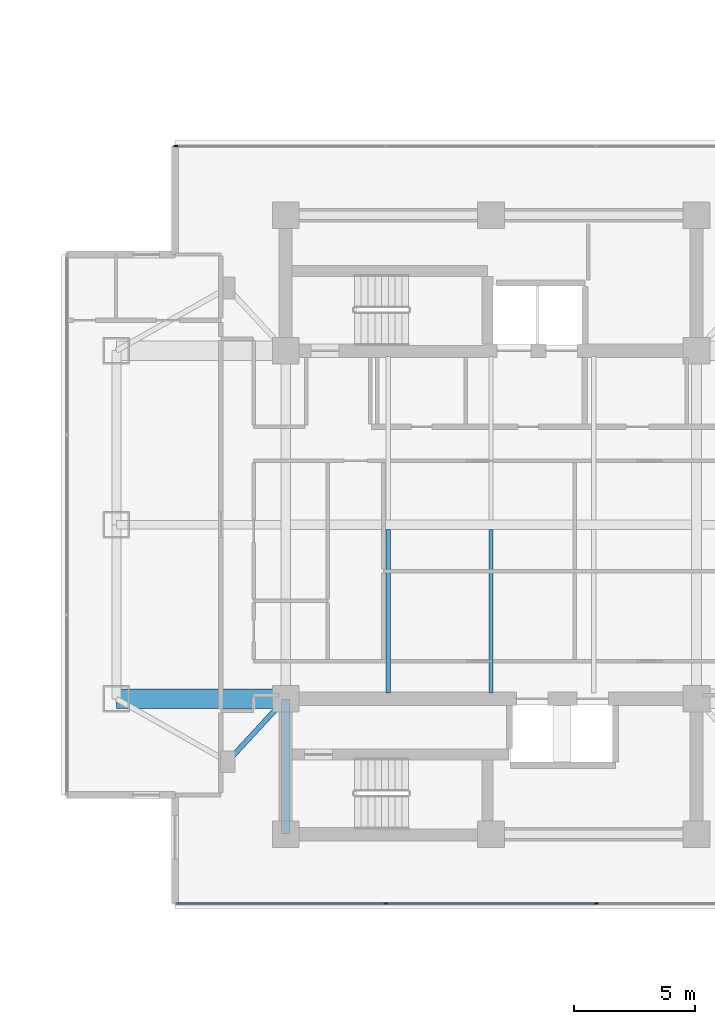
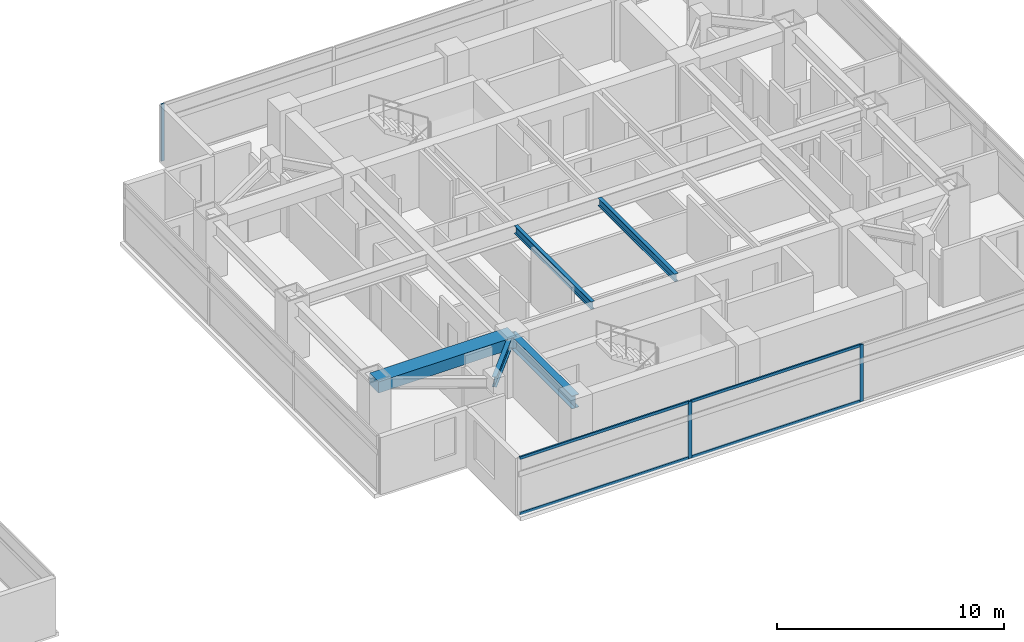
# One storey, part 9 of 26: 7 members, 5 beams, 2 elements without a shape of their own.
"""IFC4 building model written with IfcOpenShell, lengths in metres."""

from ifc_helpers import new_model, si_unit, direction, frame, origin, origin_2d, place, context, subcontext, project, spatial, rectangle, i_section, extrude, material, material_profile, profile_set, type_object, element, aggregate, save


model = new_model("IFC4")

# Units and contexts
model_context = context("Model", 3, precision=1e-05, world=origin(), true_north=direction((0.0, 1.0)))
body_context = subcontext(model_context, "Body", "Model", "MODEL_VIEW")
ifc_project = project(units=[si_unit("LENGTHUNIT", "METRE"), si_unit("AREAUNIT", "SQUARE_METRE"), si_unit("VOLUMEUNIT", "CUBIC_METRE"), si_unit("PLANEANGLEUNIT", "RADIAN"), si_unit("MASSUNIT", "GRAM", prefix="KILO")], contexts=[model_context])

# Site, building, storey
site_placement = place(None, origin())
site = spatial("IfcSite", under=ifc_project, at=site_placement, CompositionType="ELEMENT")
building_placement = place(site_placement, origin())
building = spatial("IfcBuilding", under=site, at=building_placement, Name="Mirazonda Arch Towers", CompositionType="ELEMENT")
storey_placement = place(building_placement, frame((0.0, 0.0, 128.0)))
storey = spatial("IfcBuildingStorey", under=building, at=storey_placement, Name="L36", CompositionType="ELEMENT", Elevation=128.0)

# Beams
ifc_material_1 = material(Name="Steel ASTM A992 Grade 50", Category="steel")
ifc_material_profile_1 = material_profile(ifc_material_1, i_section(OverallWidth=0.180908203125, OverallDepth=0.4169921875, WebThickness=0.010986328125, FlangeThickness=0.018310546875, at=origin_2d()), Name="W16X57")
ifc_profile_set_1 = profile_set([ifc_material_profile_1], Name="Steel ASTM A992 Grade 50")
beam_type_1 = type_object("IfcBeamType", Name="BM-INT-W16X57", PredefinedType="JOIST", material=ifc_profile_set_1)
for number, where, z_axis, x_axis, name in (
    (1, (72.25, 21.0400390625, 2.87158203125), (0.0, 1.0, 0.0), (-1.0, 0.0, 0.0), "L36 Floor Beam BM-T2-L36-J-722-20"),
    (2, (76.5, 21.0400390625, 2.87158203125), (0.0, 1.0, 0.0), (-1.0, 0.0, 0.0), "L36 Floor Beam BM-T2-L36-J-765-20"),
):
    element("IfcBeam", number, at=place(storey_placement, frame(where, z_axis=z_axis, x_axis=x_axis)), inside=storey, type_object=beam_type_1, Name=name, PredefinedType="JOIST", context=body_context, shape_type="SweptSolid", body=[
        extrude(i_section(OverallWidth=0.180908203125, OverallDepth=0.4169921875, WebThickness=0.010986328125, FlangeThickness=0.018310546875, at=origin_2d()), origin(), (0.0, 0.0, 1.0), 6.763916015625),
    ])
ifc_material_profile_2 = material_profile(ifc_material_1, i_section(OverallWidth=0.214111328125, OverallDepth=0.549072265625, WebThickness=0.0146484375, FlangeThickness=0.023681640625, at=origin_2d()), Name="W21X93")
ifc_profile_set_2 = profile_set([ifc_material_profile_2], Name="Steel ASTM A992 Grade 50")
beam_type_2 = type_object("IfcBeamType", Name="BM-INT-W21X93", PredefinedType="BEAM", material=ifc_profile_set_2)
beam_1_placement = place(storey_placement, frame((65.60009765625, 18.199951171875, 2.805419921875), z_axis=(0.678251444854, 0.734829897019, 0.0), x_axis=(-0.734829897019, 0.678251444854, 0.0)))
element("IfcBeam", 3, at=beam_1_placement, inside=storey, type_object=beam_type_2, Name="L36 Floor Beam BM-T2-L36-PL-SW1", PredefinedType="BEAM", context=body_context, shape_type="SweptSolid", body=[
    extrude(i_section(OverallWidth=0.214111328125, OverallDepth=0.549072265625, WebThickness=0.0146484375, FlangeThickness=0.023681640625, at=origin_2d()), origin(), (0.0, 0.0, 1.0), 3.538330078125),
])
ifc_material_profile_3 = material_profile(ifc_material_1, i_section(OverallWidth=0.35498046875, OverallDepth=0.696044921875, WebThickness=0.015380859375, FlangeThickness=0.02490234375, at=origin_2d()), Name="W27X146")
ifc_profile_set_3 = profile_set([ifc_material_profile_3], Name="Steel ASTM A992 Grade 50")
beam_type_3 = type_object("IfcBeamType", Name="BM-INT-W27X146", PredefinedType="BEAM", material=ifc_profile_set_3)
beam_2_placement = place(storey_placement, frame((68.0, 15.199951171875, 2.73193359375), z_axis=(0.0, 1.0, 0.0), x_axis=(-1.0, 0.0, 0.0)))
element("IfcBeam", 4, at=beam_2_placement, inside=storey, type_object=beam_type_3, Name="L36 Floor Beam BM-T2-L36-CSW", PredefinedType="BEAM", context=body_context, shape_type="SweptSolid", body=[
    extrude(i_section(OverallWidth=0.35498046875, OverallDepth=0.696044921875, WebThickness=0.015380859375, FlangeThickness=0.02490234375, at=origin_2d()), origin(), (0.0, 0.0, 1.0), 5.60009765625),
])
ifc_material_2 = material(Name="Concrete C60/75", Category="concrete")
ifc_material_profile_4 = material_profile(ifc_material_2, rectangle(XDim=0.800048828125, YDim=0.60009765625, at=origin_2d()), Name="RCCB800x600")
ifc_profile_set_4 = profile_set([ifc_material_profile_4], Name="Concrete C60/75")
beam_type_4 = type_object("IfcBeamType", Name="CB-INT-RCCB800x600", PredefinedType="SPANDREL", material=ifc_profile_set_4)
beam_3_placement = place(storey_placement, frame((61.0, 20.800048828125, 2.780029296875), z_axis=(1.0, 0.0, 0.0), x_axis=(0.0, 1.0, 0.0)))
element("IfcBeam", 5, at=beam_3_placement, inside=storey, type_object=beam_type_4, Name="L36 Floor Beam CBC-T2-L36-SW", PredefinedType="SPANDREL", context=body_context, shape_type="SweptSolid", body=[
    extrude(rectangle(XDim=0.800048828125, YDim=0.60009765625, at=origin_2d()), origin(), (0.0, 0.0, 1.0), 7.0),
])

# Curtain wall, members
ifc_material_3 = material(Name="Anodised Aluminium and Low-E Glass", Category="aluminium")
curtain_wall_type = type_object("IfcCurtainWallType", Name="CW-HTL-UNIT", PredefinedType="NOTDEFINED", material=ifc_material_3)
curtain_wall_1_placement = place(storey_placement, origin())
curtain_wall_1 = element("IfcCurtainWall", 6, at=curtain_wall_1_placement, inside=storey, type_object=curtain_wall_type, Name="L36 T2 S Facade CW-L36-T2-S", PredefinedType="NOTDEFINED")
ifc_material_4 = material(Name="Anodised Aluminium Alloy", Category="aluminium")
ifc_material_profile_5 = material_profile(ifc_material_4, rectangle(XDim=0.074951171875, YDim=0.1650390625, at=origin_2d()), Name="ALU-MULL-75x165")
ifc_profile_set_5 = profile_set([ifc_material_profile_5], Name="Anodised Aluminium Alloy")
member_type_1 = type_object("IfcMemberType", Name="MULL-CW-HTL-UNIT", PredefinedType="MULLION", material=ifc_profile_set_5)
member_1_placement = place(storey_placement, frame((80.857421875, 12.3310546875, 0.0), z_axis=(0.0, 0.0, 1.0), x_axis=(0.0, -1.0, 0.0)))
member_1 = element("IfcMember", 7, at=member_1_placement, type_object=member_type_1, Name="CW-112 mullion 2", PredefinedType="MULLION", context=body_context, shape_type="SweptSolid", body=[
    extrude(rectangle(XDim=0.074951171875, YDim=0.1650390625, at=origin_2d()), origin(), (0.0, 0.0, 1.0), 3.06005859375),
])
member_2_placement = place(storey_placement, frame((72.142578125, 12.3310546875, 0.0), z_axis=(0.0, 0.0, 1.0), x_axis=(0.0, -1.0, 0.0)))
member_2 = element("IfcMember", 8, at=member_2_placement, type_object=member_type_1, Name="CW-112 mullion 3", PredefinedType="MULLION", context=body_context, shape_type="SweptSolid", body=[
    extrude(rectangle(XDim=0.074951171875, YDim=0.1650390625, at=origin_2d()), origin(), (0.0, 0.0, 1.0), 3.06005859375),
])

# Curtain wall, member
curtain_wall_2_placement = place(storey_placement, origin())
curtain_wall_2 = element("IfcCurtainWall", 9, at=curtain_wall_2_placement, inside=storey, type_object=curtain_wall_type, Name="L36 T2 N Facade CW-L36-T2-N", PredefinedType="NOTDEFINED")
member_3_placement = place(storey_placement, frame((63.465087890625, 43.6689453125, 0.0), z_axis=(0.0, 0.0, 1.0), x_axis=(0.0, 1.0, 0.0)))
member_3 = element("IfcMember", 10, at=member_3_placement, type_object=member_type_1, Name="CW-112 mullion 1", PredefinedType="MULLION", context=body_context, shape_type="SweptSolid", body=[
    extrude(rectangle(XDim=0.074951171875, YDim=0.1650390625, at=origin_2d()), origin(), (0.0, 0.0, 1.0), 3.06005859375),
])
aggregate(curtain_wall_2, [member_3])

# Member
ifc_material_profile_6 = material_profile(ifc_material_4, rectangle(XDim=0.074951171875, YDim=0.14501953125, at=origin_2d()), Name="ALU-TRAN-75x145")
ifc_profile_set_6 = profile_set([ifc_material_profile_6], Name="Anodised Aluminium Alloy")
member_type_2 = type_object("IfcMemberType", Name="TRAN-CW-HTL-UNIT", PredefinedType="USERDEFINED", material=ifc_profile_set_6)
member_4_placement = place(storey_placement, frame((80.820068359375, 12.3310546875, 0.03759765625), z_axis=(-1.0, 0.0, 0.0), x_axis=(0.0, -1.0, 0.0)))
member_4 = element("IfcMember", 11, at=member_4_placement, type_object=member_type_2, Name="CW-112 transom 2.1", ObjectType="TRANSOM", PredefinedType="USERDEFINED", context=body_context, shape_type="SweptSolid", body=[
    extrude(rectangle(XDim=0.074951171875, YDim=0.14501953125, at=origin_2d()), origin(), (0.0, 0.0, 1.0), 8.64013671875),
])

member_5_placement = place(storey_placement, frame((80.820068359375, 12.3310546875, 3.0224609375), z_axis=(-1.0, 0.0, 0.0), x_axis=(0.0, -1.0, 0.0)))
member_5 = element("IfcMember", 12, at=member_5_placement, type_object=member_type_2, Name="CW-112 transom 2.2", ObjectType="TRANSOM", PredefinedType="USERDEFINED", context=body_context, shape_type="SweptSolid", body=[
    extrude(rectangle(XDim=0.074951171875, YDim=0.14501953125, at=origin_2d()), origin(), (0.0, 0.0, 1.0), 8.64013671875),
])

member_6_placement = place(storey_placement, frame((72.10498046875, 12.3310546875, 0.03759765625), z_axis=(-1.0, 0.0, 0.0), x_axis=(0.0, -1.0, 0.0)))
member_6 = element("IfcMember", 13, at=member_6_placement, type_object=member_type_2, Name="CW-112 transom 3.1", ObjectType="TRANSOM", PredefinedType="USERDEFINED", context=body_context, shape_type="SweptSolid", body=[
    extrude(rectangle(XDim=0.074951171875, YDim=0.14501953125, at=origin_2d()), origin(), (0.0, 0.0, 1.0), 8.6025390625),
])

member_7_placement = place(storey_placement, frame((72.10498046875, 12.3310546875, 3.0224609375), z_axis=(-1.0, 0.0, 0.0), x_axis=(0.0, -1.0, 0.0)))
member_7 = element("IfcMember", 14, at=member_7_placement, type_object=member_type_2, Name="CW-112 transom 3.2", ObjectType="TRANSOM", PredefinedType="USERDEFINED", context=body_context, shape_type="SweptSolid", body=[
    extrude(rectangle(XDim=0.074951171875, YDim=0.14501953125, at=origin_2d()), origin(), (0.0, 0.0, 1.0), 8.6025390625),
])

aggregate(curtain_wall_1, [member_1, member_2, member_4, member_5, member_6, member_7])

save(model, "model.ifc")
